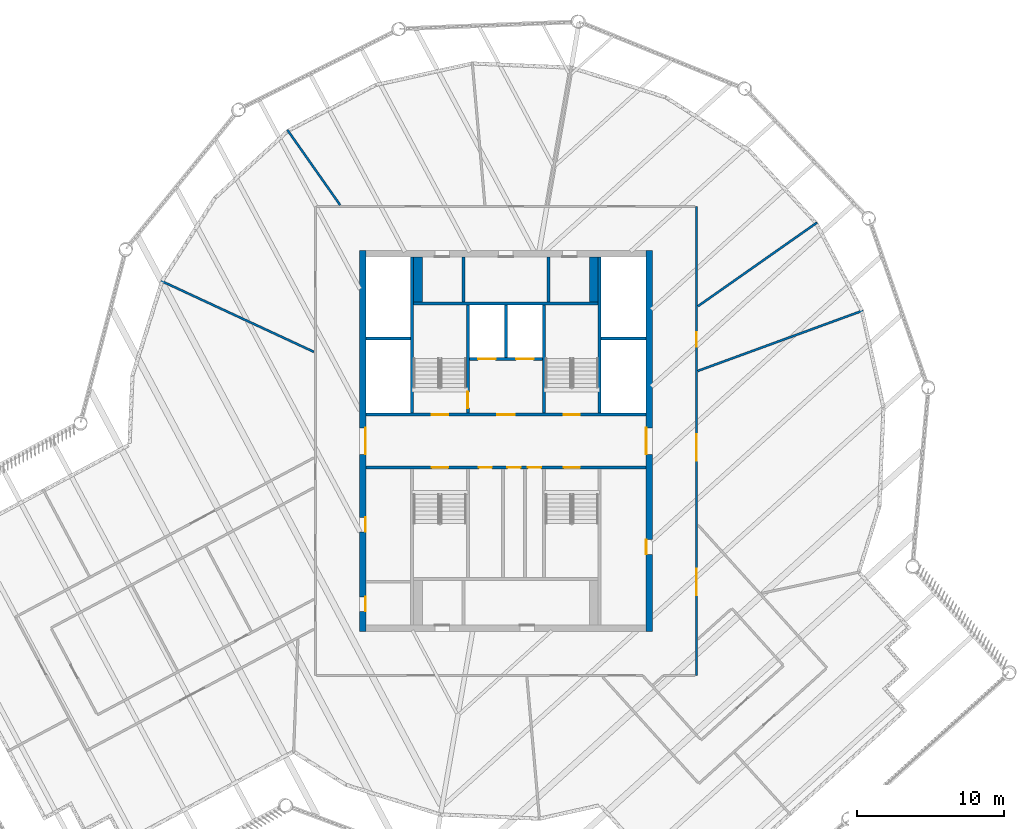
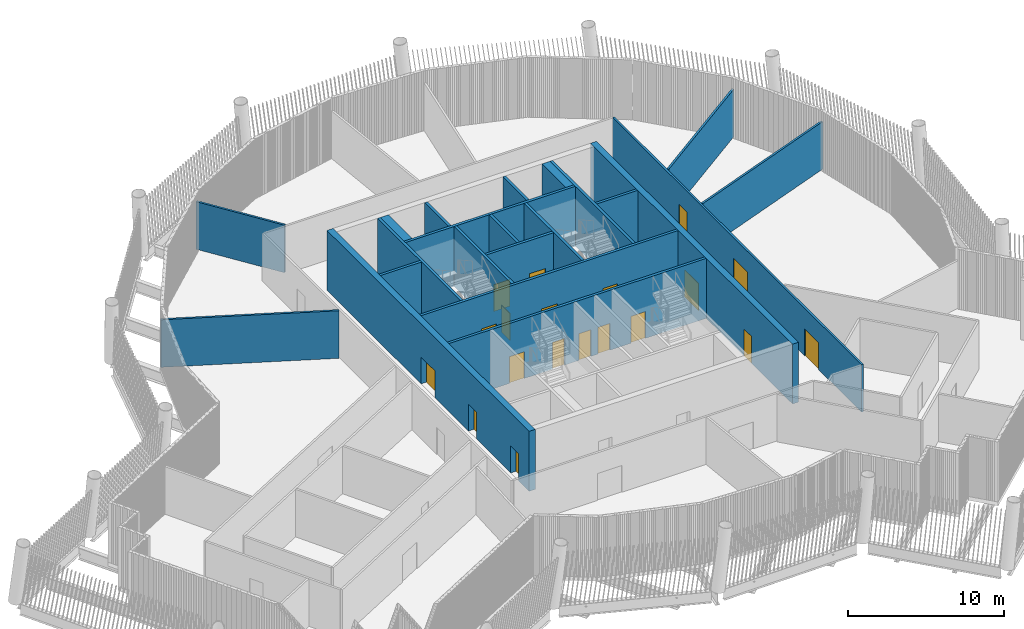
# One storey, part 4 of 21: 22 walls, 19 doors, 19 openings.
"""IFC4 building model written with IfcOpenShell, lengths in metres."""

from ifc_helpers import new_model, si_unit, direction, frame, frame_2d, origin, place, context, subcontext, project, spatial, rectangle, extrude, material, layer, layer_set, type_object, element, fill, save


model = new_model("IFC4")

# Units and contexts
model_context = context("Model", 3, precision=1e-05, world=origin(), true_north=direction((0.0, 1.0)))
body_context = subcontext(model_context, "Body", "Model", "MODEL_VIEW")
ifc_project = project(units=[si_unit("LENGTHUNIT", "METRE"), si_unit("AREAUNIT", "SQUARE_METRE"), si_unit("VOLUMEUNIT", "CUBIC_METRE"), si_unit("PLANEANGLEUNIT", "RADIAN"), si_unit("MASSUNIT", "GRAM", prefix="KILO")], contexts=[model_context])

# Site, building, storey
site_placement = place(None, origin())
site = spatial("IfcSite", under=ifc_project, at=site_placement, CompositionType="ELEMENT")
building_placement = place(site_placement, origin())
building = spatial("IfcBuilding", under=site, at=building_placement, Name="Tarsis Ring Headquarters", CompositionType="ELEMENT")
storey_placement = place(building_placement, frame((0.0, 0.0, 398.60009765625)))
storey = spatial("IfcBuildingStorey", under=building, at=storey_placement, Name="L94", CompositionType="ELEMENT", Elevation=398.60009765625)

# Walls
ifc_material_1 = material(Name="Blockwork", Category="masonry")
ifc_layer_1 = layer(ifc_material_1, 0.199951171875)
ifc_layer_set_1 = layer_set([ifc_layer_1], Name="Core blockwork wall 200")
wall_type_1 = type_object("IfcWallType", Name="Core blockwork wall 200", PredefinedType="PARTITIONING", material=ifc_layer_set_1)
for number, where, z_axis, x_axis, name in (
    (1, (-2.89990234375, 9.5, 0.0), (0.0, 0.0, 1.0), (0.0, 1.0, 0.0), "Core partition ND1"),
    (2, (2.89990234375, 9.5, 0.0), (0.0, 0.0, 1.0), (0.0, 1.0, 0.0), "Core partition ND3"),
):
    element("IfcWall", number, at=place(storey_placement, frame(where, z_axis=z_axis, x_axis=x_axis)), inside=storey, type_object=wall_type_1, Name=name, PredefinedType="PARTITIONING", context=body_context, shape_type="SweptSolid", body=[
        extrude(rectangle(XDim=3.050048828125, YDim=0.199951171875, at=frame_2d((1.52490234375, 0.0))), origin(), (0.0, 0.0, 1.0), 4.699951171875),
    ])

# Wall, openings, doors
ifc_material_2 = material(Name="Concrete C50/60", Category="concrete")
ifc_layer_2 = layer(ifc_material_2, 0.449951171875)
ifc_layer_set_2 = layer_set([ifc_layer_2], Name="Core wall 450 C50/60")
wall_type_2 = type_object("IfcWallType", Name="Core wall 450 C50/60", PredefinedType="SHEAR", material=ifc_layer_set_2)
wall_1_placement = place(storey_placement, frame((-9.77490234375, -13.0, 0.0), z_axis=(0.0, 0.0, 1.0), x_axis=(0.0, 1.0, 0.0)))
wall_1 = element("IfcWall", 3, at=wall_1_placement, inside=storey, type_object=wall_type_2, Name="Core wall OW", PredefinedType="SHEAR", context=body_context, shape_type="SweptSolid", body=[
    extrude(rectangle(XDim=26.0, YDim=0.449951171875, at=frame_2d((13.0, 0.0))), origin(), (0.0, 0.0, 1.0), 4.699951171875),
])
opening_1_placement = place(wall_1_placement, frame((1.375, 0.0, 0.0)))
opening_1 = element("IfcOpeningElement", 4, at=opening_1_placement, cuts=wall_1, Name="Opening L94-C01", PredefinedType="OPENING", context=body_context, shape_type="SweptSolid", body=[
    extrude(rectangle(XDim=1.0, YDim=2.10009765625, at=frame_2d((0.5, 1.050048828125))), frame((0.0, 0.23486328125, 0.0), z_axis=(0.0, -1.0, 0.0), x_axis=(1.0, 0.0, 0.0)), (0.0, 0.0, 1.0), 0.469970703125),
])
opening_2_placement = place(wall_1_placement, frame((6.800048828125, 0.0, 0.0)))
opening_2 = element("IfcOpeningElement", 5, at=opening_2_placement, cuts=wall_1, Name="Opening L94-C02", PredefinedType="OPENING", context=body_context, shape_type="SweptSolid", body=[
    extrude(rectangle(XDim=1.0, YDim=2.10009765625, at=frame_2d((0.5, 1.050048828125))), frame((0.0, 0.23486328125, 0.0), z_axis=(0.0, -1.0, 0.0), x_axis=(1.0, 0.0, 0.0)), (0.0, 0.0, 1.0), 0.469970703125),
])
opening_3_placement = place(wall_1_placement, frame((12.10009765625, 0.0, 0.0)))
opening_3 = element("IfcOpeningElement", 6, at=opening_3_placement, cuts=wall_1, Name="Opening L94-C03", PredefinedType="OPENING", context=body_context, shape_type="SweptSolid", body=[
    extrude(rectangle(XDim=1.800048828125, YDim=2.10009765625, at=frame_2d((0.89990234375, 1.050048828125))), frame((0.0, 0.23486328125, 0.0), z_axis=(0.0, -1.0, 0.0), x_axis=(1.0, 0.0, 0.0)), (0.0, 0.0, 1.0), 0.469970703125),
])
ifc_material_3 = material(Name="Steel S355", Category="steel")
door_type_1 = type_object("IfcDoorType", Name="Core entry door 1800x2100", OperationType="DOUBLE_DOOR_SINGLE_SWING", PredefinedType="DOOR", material=ifc_material_3)
door_1_placement = place(opening_3_placement, origin())
door_1 = element("IfcDoor", 7, at=door_1_placement, inside=storey, type_object=door_type_1, Name="Core entry door L94", OperationType="DOUBLE_DOOR_SINGLE_SWING", OverallHeight=2.10009765625, OverallWidth=1.800048828125, PredefinedType="DOOR", context=body_context, shape_type="SweptSolid", body=[
    extrude(rectangle(XDim=1.800048828125, YDim=2.10009765625, at=frame_2d((0.89990234375, 1.050048828125))), frame((0.0, -0.1748046875, 0.0), z_axis=(0.0, -1.0, 0.0), x_axis=(1.0, 0.0, 0.0)), (0.0, 0.0, 1.0), 0.050048828125),
])
fill(opening_3, door_1)
door_type_2 = type_object("IfcDoorType", Name="Core room door 1000x2100", OperationType="SINGLE_SWING_LEFT", PredefinedType="DOOR", material=ifc_material_3)
door_2_placement = place(opening_1_placement, origin())
door_2 = element("IfcDoor", 8, at=door_2_placement, inside=storey, type_object=door_type_2, Name="Core room door L94", OperationType="SINGLE_SWING_LEFT", OverallHeight=2.10009765625, OverallWidth=1.0, PredefinedType="DOOR", context=body_context, shape_type="SweptSolid", body=[
    extrude(rectangle(XDim=1.0, YDim=2.10009765625, at=frame_2d((0.5, 1.050048828125))), frame((0.0, -0.1748046875, 0.0), z_axis=(0.0, -1.0, 0.0), x_axis=(1.0, 0.0, 0.0)), (0.0, 0.0, 1.0), 0.050048828125),
])
fill(opening_1, door_2)
door_3_placement = place(opening_2_placement, origin())
door_3 = element("IfcDoor", 9, at=door_3_placement, inside=storey, type_object=door_type_2, Name="Core room door L94", OperationType="SINGLE_SWING_LEFT", OverallHeight=2.10009765625, OverallWidth=1.0, PredefinedType="DOOR", context=body_context, shape_type="SweptSolid", body=[
    extrude(rectangle(XDim=1.0, YDim=2.10009765625, at=frame_2d((0.5, 1.050048828125))), frame((0.0, -0.1748046875, 0.0), z_axis=(0.0, -1.0, 0.0), x_axis=(1.0, 0.0, 0.0)), (0.0, 0.0, 1.0), 0.050048828125),
])
fill(opening_2, door_3)

wall_2_placement = place(storey_placement, frame((9.77490234375, -13.0, 0.0), z_axis=(0.0, 0.0, 1.0), x_axis=(0.0, 1.0, 0.0)))
wall_2 = element("IfcWall", 10, at=wall_2_placement, inside=storey, type_object=wall_type_2, Name="Core wall OE", PredefinedType="SHEAR", context=body_context, shape_type="SweptSolid", body=[
    extrude(rectangle(XDim=26.0, YDim=0.449951171875, at=frame_2d((13.0, 0.0))), origin(), (0.0, 0.0, 1.0), 4.699951171875),
])
opening_4_placement = place(wall_2_placement, frame((5.27490234375, 0.0, 0.0)))
opening_4 = element("IfcOpeningElement", 11, at=opening_4_placement, cuts=wall_2, Name="Opening L94-C04", PredefinedType="OPENING", context=body_context, shape_type="SweptSolid", body=[
    extrude(rectangle(XDim=1.0, YDim=2.10009765625, at=frame_2d((0.5, 1.050048828125))), frame((0.0, 0.23486328125, 0.0), z_axis=(0.0, -1.0, 0.0), x_axis=(1.0, 0.0, 0.0)), (0.0, 0.0, 1.0), 0.469970703125),
])
opening_5_placement = place(wall_2_placement, frame((12.10009765625, 0.0, 0.0)))
opening_5 = element("IfcOpeningElement", 12, at=opening_5_placement, cuts=wall_2, Name="Opening L94-C05", PredefinedType="OPENING", context=body_context, shape_type="SweptSolid", body=[
    extrude(rectangle(XDim=1.800048828125, YDim=2.10009765625, at=frame_2d((0.89990234375, 1.050048828125))), frame((0.0, 0.23486328125, 0.0), z_axis=(0.0, -1.0, 0.0), x_axis=(1.0, 0.0, 0.0)), (0.0, 0.0, 1.0), 0.469970703125),
])
door_4_placement = place(opening_5_placement, origin())
door_4 = element("IfcDoor", 13, at=door_4_placement, inside=storey, type_object=door_type_1, Name="Core entry door L94", OperationType="DOUBLE_DOOR_SINGLE_SWING", OverallHeight=2.10009765625, OverallWidth=1.800048828125, PredefinedType="DOOR", context=body_context, shape_type="SweptSolid", body=[
    extrude(rectangle(XDim=1.800048828125, YDim=2.10009765625, at=frame_2d((0.89990234375, 1.050048828125))), frame((0.0, 0.22509765625, 0.0), z_axis=(0.0, -1.0, 0.0), x_axis=(1.0, 0.0, 0.0)), (0.0, 0.0, 1.0), 0.050048828125),
])
fill(opening_5, door_4)
door_5_placement = place(opening_4_placement, origin())
door_5 = element("IfcDoor", 14, at=door_5_placement, inside=storey, type_object=door_type_2, Name="Core room door L94", OperationType="SINGLE_SWING_LEFT", OverallHeight=2.10009765625, OverallWidth=1.0, PredefinedType="DOOR", context=body_context, shape_type="SweptSolid", body=[
    extrude(rectangle(XDim=1.0, YDim=2.10009765625, at=frame_2d((0.5, 1.050048828125))), frame((0.0, 0.22509765625, 0.0), z_axis=(0.0, -1.0, 0.0), x_axis=(1.0, 0.0, 0.0)), (0.0, 0.0, 1.0), 0.050048828125),
])
fill(opening_4, door_5)

ifc_material_4 = material(Name="Gypsum board on steel studs", Category="steel")
ifc_layer_3 = layer(ifc_material_4, 0.14990234375)
ifc_layer_set_3 = layer_set([ifc_layer_3], Name="FL partition 150 EI 120 H3730")
wall_type_3 = type_object("IfcWallType", Name="FL partition 150 EI 120 H3730", PredefinedType="PARTITIONING", material=ifc_layer_set_3)
wall_3_placement = place(storey_placement, frame((13.0, -15.9990234375, 0.0), z_axis=(0.0, 0.0, 1.0), x_axis=(0.0, 1.0, 0.0)))
wall_3 = element("IfcWall", 15, at=wall_3_placement, inside=storey, type_object=wall_type_3, Name="Partition PW2H373", PredefinedType="PARTITIONING", context=body_context, shape_type="SweptSolid", body=[
    extrude(rectangle(XDim=31.9990234375, YDim=0.14990234375, at=frame_2d((15.99951171875, 0.0))), origin(), (0.0, 0.0, 1.0), 3.72998046875),
])
opening_6_placement = place(wall_3_placement, frame((22.43994140625, 0.0, 0.0)))
opening_6 = element("IfcOpeningElement", 16, at=opening_6_placement, cuts=wall_3, Name="Opening D94.08", PredefinedType="OPENING", context=body_context, shape_type="SweptSolid", body=[
    extrude(rectangle(XDim=1.0, YDim=2.10009765625, at=frame_2d((0.5, 1.050048828125))), frame((0.0, 0.0849609375, 0.0), z_axis=(0.0, -1.0, 0.0), x_axis=(1.0, 0.0, 0.0)), (0.0, 0.0, 1.0), 0.169921875),
])
opening_7_placement = place(wall_3_placement, frame((14.6708984375, 0.0, 0.0)))
opening_7 = element("IfcOpeningElement", 17, at=opening_7_placement, cuts=wall_3, Name="Opening D94.09", PredefinedType="OPENING", context=body_context, shape_type="SweptSolid", body=[
    extrude(rectangle(XDim=1.800048828125, YDim=2.10009765625, at=frame_2d((0.89990234375, 1.050048828125))), frame((0.0, 0.0849609375, 0.0), z_axis=(0.0, -1.0, 0.0), x_axis=(1.0, 0.0, 0.0)), (0.0, 0.0, 1.0), 0.169921875),
])
opening_8_placement = place(wall_3_placement, frame((5.492431640625, 0.0, 0.0)))
opening_8 = element("IfcOpeningElement", 18, at=opening_8_placement, cuts=wall_3, Name="Opening D94.18", PredefinedType="OPENING", context=body_context, shape_type="SweptSolid", body=[
    extrude(rectangle(XDim=1.800048828125, YDim=2.10009765625, at=frame_2d((0.89990234375, 1.050048828125))), frame((0.0, 0.0849609375, 0.0), z_axis=(0.0, -1.0, 0.0), x_axis=(1.0, 0.0, 0.0)), (0.0, 0.0, 1.0), 0.169921875),
])
ifc_material_5 = material(Name="Fire-rated timber door leaf in steel frame", Category="steel")
door_type_3 = type_object("IfcDoorType", Name="FL door FD120-1000", OperationType="NOTDEFINED", PredefinedType="DOOR", material=ifc_material_5)
door_6_placement = place(opening_6_placement, origin())
door_6 = element("IfcDoor", 19, at=door_6_placement, inside=storey, type_object=door_type_3, Name="Door D94.08", OperationType="SINGLE_SWING_RIGHT", OverallHeight=2.10009765625, OverallWidth=1.0, PredefinedType="DOOR", context=body_context, shape_type="SweptSolid", body=[
    extrude(rectangle(XDim=1.0, YDim=2.10009765625, at=frame_2d((0.5, 1.050048828125))), frame((0.0, 0.02490234375, 0.0), z_axis=(0.0, -1.0, 0.0), x_axis=(1.0, 0.0, 0.0)), (0.0, 0.0, 1.0), 0.050048828125),
])
fill(opening_6, door_6)
door_type_4 = type_object("IfcDoorType", Name="FL door FD120-1800", OperationType="DOUBLE_DOOR_SINGLE_SWING", PredefinedType="DOOR", material=ifc_material_5)
door_7_placement = place(opening_7_placement, origin())
door_7 = element("IfcDoor", 20, at=door_7_placement, inside=storey, type_object=door_type_4, Name="Door D94.09", OperationType="DOUBLE_DOOR_SINGLE_SWING", OverallHeight=2.10009765625, OverallWidth=1.800048828125, PredefinedType="DOOR", context=body_context, shape_type="SweptSolid", body=[
    extrude(rectangle(XDim=1.800048828125, YDim=2.10009765625, at=frame_2d((0.89990234375, 1.050048828125))), frame((0.0, 0.02490234375, 0.0), z_axis=(0.0, -1.0, 0.0), x_axis=(1.0, 0.0, 0.0)), (0.0, 0.0, 1.0), 0.050048828125),
])
fill(opening_7, door_7)
door_8_placement = place(opening_8_placement, origin())
door_8 = element("IfcDoor", 21, at=door_8_placement, inside=storey, type_object=door_type_4, Name="Door D94.18", OperationType="DOUBLE_DOOR_SINGLE_SWING", OverallHeight=2.10009765625, OverallWidth=1.800048828125, PredefinedType="DOOR", context=body_context, shape_type="SweptSolid", body=[
    extrude(rectangle(XDim=1.800048828125, YDim=2.10009765625, at=frame_2d((0.89990234375, 1.050048828125))), frame((0.0, 0.02490234375, 0.0), z_axis=(0.0, -1.0, 0.0), x_axis=(1.0, 0.0, 0.0)), (0.0, 0.0, 1.0), 0.050048828125),
])
fill(opening_8, door_8)

# Walls
wall_4_placement = place(storey_placement, frame((13.093994140625, 4.78662109375, 0.0), z_axis=(0.0, 0.0, 1.0), x_axis=(0.939217393078, 0.343323009044, 0.0)))
element("IfcWall", 22, at=wall_4_placement, inside=storey, type_object=wall_type_3, Name="Partition PW2H373", PredefinedType="PARTITIONING", context=body_context, shape_type="SweptSolid", body=[
    extrude(rectangle(XDim=12.00634765625, YDim=0.14990234375, at=frame_2d((6.003173828125, 0.0))), origin(), (0.0, 0.0, 1.0), 3.72998046875),
])
wall_5_placement = place(storey_placement, frame((-23.531982421875, 10.93310546875, 0.0), z_axis=(0.0, 0.0, 1.0), x_axis=(0.906894864661, -0.42135697983, 0.0)))
element("IfcWall", 23, at=wall_5_placement, inside=storey, type_object=wall_type_3, Name="Partition PW2H373", PredefinedType="PARTITIONING", context=body_context, shape_type="SweptSolid", body=[
    extrude(rectangle(XDim=11.503173828125, YDim=0.14990234375, at=frame_2d((5.75146484375, 0.0))), origin(), (0.0, 0.0, 1.0), 3.72998046875),
])
wall_6_placement = place(storey_placement, frame((13.1064453125, 9.20458984375, 0.0), z_axis=(0.0, 0.0, 1.0), x_axis=(0.818357925444, 0.574708887928, 0.0)))
element("IfcWall", 24, at=wall_6_placement, inside=storey, type_object=wall_type_3, Name="Partition PW2H373", PredefinedType="PARTITIONING", context=body_context, shape_type="SweptSolid", body=[
    extrude(rectangle(XDim=9.931884765625, YDim=0.14990234375, at=frame_2d((4.9658203125, 0.0))), origin(), (0.0, 0.0, 1.0), 3.72998046875),
])
wall_7_placement = place(storey_placement, frame((-14.91259765625, 21.234375, 0.0), z_axis=(0.0, 0.0, 1.0), x_axis=(0.574722033076, -0.818348693832, 0.0)))
element("IfcWall", 25, at=wall_7_placement, inside=storey, type_object=wall_type_3, Name="Partition PW2H373", PredefinedType="PARTITIONING", context=body_context, shape_type="SweptSolid", body=[
    extrude(rectangle(XDim=6.26611328125, YDim=0.14990234375, at=frame_2d((3.133056640625, 0.0))), origin(), (0.0, 0.0, 1.0), 3.72998046875),
])
ifc_material_6 = material(Name="Concrete C32/40", Category="concrete")
ifc_layer_4 = layer(ifc_material_6, 0.60009765625)
ifc_layer_set_4 = layer_set([ifc_layer_4], Name="Shaft end wall 600 C32/40")
wall_type_4 = type_object("IfcWallType", Name="Shaft end wall 600 C32/40", PredefinedType="SOLIDWALL", material=ifc_layer_set_4)
for number, where, z_axis, x_axis, name in (
    (26, (-6.0, 9.5, 0.0), (0.0, 0.0, 1.0), (0.0, 1.0, 0.0), "Core shaft wall NNE1"),
    (27, (6.0, 9.5, 0.0), (0.0, 0.0, 1.0), (0.0, 1.0, 0.0), "Core shaft wall NNE2"),
):
    element("IfcWall", number, at=place(storey_placement, frame(where, z_axis=z_axis, x_axis=x_axis)), inside=storey, type_object=wall_type_4, Name=name, PredefinedType="SOLIDWALL", context=body_context, shape_type="SweptSolid", body=[
        extrude(rectangle(XDim=3.050048828125, YDim=0.60009765625, at=frame_2d((1.52490234375, 0.0))), origin(), (0.0, 0.0, 1.0), 4.699951171875),
    ])

# Wall, openings, doors
ifc_layer_5 = layer(ifc_material_6, 0.199951171875)
ifc_layer_set_5 = layer_set([ifc_layer_5], Name="Shaft wall 200 C32/40")
wall_type_5 = type_object("IfcWallType", Name="Shaft wall 200 C32/40", PredefinedType="SOLIDWALL", material=ifc_layer_set_5)
wall_8_placement = place(storey_placement, frame((-9.550048828125, 1.800048828125, 0.0), z_axis=(0.0, 0.0, 1.0), x_axis=(1.0, 0.0, 0.0)))
wall_8 = element("IfcWall", 28, at=wall_8_placement, inside=storey, type_object=wall_type_5, Name="Core shaft wall CN", PredefinedType="SOLIDWALL", context=body_context, shape_type="SweptSolid", body=[
    extrude(rectangle(XDim=19.10009765625, YDim=0.199951171875, at=frame_2d((9.550048828125, 0.0))), origin(), (0.0, 0.0, 1.0), 4.699951171875),
])
opening_9_placement = place(wall_8_placement, frame((4.5, 0.0, 0.0)))
opening_9 = element("IfcOpeningElement", 29, at=opening_9_placement, cuts=wall_8, Name="Opening L94-C11", PredefinedType="OPENING", context=body_context, shape_type="SweptSolid", body=[
    extrude(rectangle(XDim=1.10009765625, YDim=2.10009765625, at=frame_2d((0.550048828125, 1.050048828125))), frame((0.0, 0.10986328125, 0.0), z_axis=(0.0, -1.0, 0.0), x_axis=(1.0, 0.0, 0.0)), (0.0, 0.0, 1.0), 0.219970703125),
])
opening_10_placement = place(wall_8_placement, frame((8.949951171875, 0.0, 0.0)))
opening_10 = element("IfcOpeningElement", 30, at=opening_10_placement, cuts=wall_8, Name="Opening L94-C12", PredefinedType="OPENING", context=body_context, shape_type="SweptSolid", body=[
    extrude(rectangle(XDim=1.199951171875, YDim=2.10009765625, at=frame_2d((0.60009765625, 1.050048828125))), frame((0.0, 0.10986328125, 0.0), z_axis=(0.0, -1.0, 0.0), x_axis=(1.0, 0.0, 0.0)), (0.0, 0.0, 1.0), 0.219970703125),
])
opening_11_placement = place(wall_8_placement, frame((13.5, 0.0, 0.0)))
opening_11 = element("IfcOpeningElement", 31, at=opening_11_placement, cuts=wall_8, Name="Opening L94-C13", PredefinedType="OPENING", context=body_context, shape_type="SweptSolid", body=[
    extrude(rectangle(XDim=1.10009765625, YDim=2.10009765625, at=frame_2d((0.550048828125, 1.050048828125))), frame((0.0, 0.10986328125, 0.0), z_axis=(0.0, -1.0, 0.0), x_axis=(1.0, 0.0, 0.0)), (0.0, 0.0, 1.0), 0.219970703125),
])
door_type_5 = type_object("IfcDoorType", Name="Firefighting lobby door 1200x2100", OperationType="DOUBLE_DOOR_SINGLE_SWING", PredefinedType="DOOR", material=ifc_material_3)
door_9_placement = place(opening_10_placement, origin())
door_9 = element("IfcDoor", 32, at=door_9_placement, inside=storey, type_object=door_type_5, Name="Firefighting lobby door L94", OperationType="DOUBLE_DOOR_SINGLE_SWING", OverallHeight=2.10009765625, OverallWidth=1.199951171875, PredefinedType="DOOR", context=body_context, shape_type="SweptSolid", body=[
    extrude(rectangle(XDim=1.199951171875, YDim=2.10009765625, at=frame_2d((0.60009765625, 1.050048828125))), frame((0.0, 0.02490234375, 0.0), z_axis=(0.0, -1.0, 0.0), x_axis=(1.0, 0.0, 0.0)), (0.0, 0.0, 1.0), 0.050048828125),
])
fill(opening_10, door_9)
door_type_6 = type_object("IfcDoorType", Name="Stair door 1100x2100", OperationType="SINGLE_SWING_LEFT", PredefinedType="DOOR", material=ifc_material_3)
door_10_placement = place(opening_9_placement, origin())
door_10 = element("IfcDoor", 33, at=door_10_placement, inside=storey, type_object=door_type_6, Name="Stair door L94", OperationType="SINGLE_SWING_LEFT", OverallHeight=2.10009765625, OverallWidth=1.10009765625, PredefinedType="DOOR", context=body_context, shape_type="SweptSolid", body=[
    extrude(rectangle(XDim=1.10009765625, YDim=2.10009765625, at=frame_2d((0.550048828125, 1.050048828125))), frame((0.0, 0.02490234375, 0.0), z_axis=(0.0, -1.0, 0.0), x_axis=(1.0, 0.0, 0.0)), (0.0, 0.0, 1.0), 0.050048828125),
])
fill(opening_9, door_10)
door_11_placement = place(opening_11_placement, origin())
door_11 = element("IfcDoor", 34, at=door_11_placement, inside=storey, type_object=door_type_6, Name="Stair door L94", OperationType="SINGLE_SWING_LEFT", OverallHeight=2.10009765625, OverallWidth=1.10009765625, PredefinedType="DOOR", context=body_context, shape_type="SweptSolid", body=[
    extrude(rectangle(XDim=1.10009765625, YDim=2.10009765625, at=frame_2d((0.550048828125, 1.050048828125))), frame((0.0, 0.02490234375, 0.0), z_axis=(0.0, -1.0, 0.0), x_axis=(1.0, 0.0, 0.0)), (0.0, 0.0, 1.0), 0.050048828125),
])
fill(opening_11, door_11)

wall_9_placement = place(storey_placement, frame((-9.550048828125, -1.800048828125, 0.0), z_axis=(0.0, 0.0, 1.0), x_axis=(1.0, 0.0, 0.0)))
wall_9 = element("IfcWall", 35, at=wall_9_placement, inside=storey, type_object=wall_type_5, Name="Core shaft wall CS", PredefinedType="SOLIDWALL", context=body_context, shape_type="SweptSolid", body=[
    extrude(rectangle(XDim=19.10009765625, YDim=0.199951171875, at=frame_2d((9.550048828125, 0.0))), origin(), (0.0, 0.0, 1.0), 4.699951171875),
])
opening_12_placement = place(wall_9_placement, frame((4.5, 0.0, 0.0)))
opening_12 = element("IfcOpeningElement", 36, at=opening_12_placement, cuts=wall_9, Name="Opening L94-C14", PredefinedType="OPENING", context=body_context, shape_type="SweptSolid", body=[
    extrude(rectangle(XDim=1.10009765625, YDim=2.10009765625, at=frame_2d((0.550048828125, 1.050048828125))), frame((0.0, 0.10986328125, 0.0), z_axis=(0.0, -1.0, 0.0), x_axis=(1.0, 0.0, 0.0)), (0.0, 0.0, 1.0), 0.219970703125),
])
opening_13_placement = place(wall_9_placement, frame((7.699951171875, 0.0, 0.0)))
opening_13 = element("IfcOpeningElement", 37, at=opening_13_placement, cuts=wall_9, Name="Opening L94-C15", PredefinedType="OPENING", context=body_context, shape_type="SweptSolid", body=[
    extrude(rectangle(XDim=0.89990234375, YDim=2.10009765625, at=frame_2d((0.449951171875, 1.050048828125))), frame((0.0, 0.10986328125, 0.0), z_axis=(0.0, -1.0, 0.0), x_axis=(1.0, 0.0, 0.0)), (0.0, 0.0, 1.0), 0.219970703125),
])
opening_14_placement = place(wall_9_placement, frame((9.64990234375, 0.0, 0.0)))
opening_14 = element("IfcOpeningElement", 38, at=opening_14_placement, cuts=wall_9, Name="Opening L94-C16", PredefinedType="OPENING", context=body_context, shape_type="SweptSolid", body=[
    extrude(rectangle(XDim=0.89990234375, YDim=2.10009765625, at=frame_2d((0.449951171875, 1.050048828125))), frame((0.0, 0.10986328125, 0.0), z_axis=(0.0, -1.0, 0.0), x_axis=(1.0, 0.0, 0.0)), (0.0, 0.0, 1.0), 0.219970703125),
])
opening_15_placement = place(wall_9_placement, frame((11.050048828125, 0.0, 0.0)))
opening_15 = element("IfcOpeningElement", 39, at=opening_15_placement, cuts=wall_9, Name="Opening L94-C17", PredefinedType="OPENING", context=body_context, shape_type="SweptSolid", body=[
    extrude(rectangle(XDim=0.89990234375, YDim=2.10009765625, at=frame_2d((0.449951171875, 1.050048828125))), frame((0.0, 0.10986328125, 0.0), z_axis=(0.0, -1.0, 0.0), x_axis=(1.0, 0.0, 0.0)), (0.0, 0.0, 1.0), 0.219970703125),
])
opening_16_placement = place(wall_9_placement, frame((13.5, 0.0, 0.0)))
opening_16 = element("IfcOpeningElement", 40, at=opening_16_placement, cuts=wall_9, Name="Opening L94-C18", PredefinedType="OPENING", context=body_context, shape_type="SweptSolid", body=[
    extrude(rectangle(XDim=1.10009765625, YDim=2.10009765625, at=frame_2d((0.550048828125, 1.050048828125))), frame((0.0, 0.10986328125, 0.0), z_axis=(0.0, -1.0, 0.0), x_axis=(1.0, 0.0, 0.0)), (0.0, 0.0, 1.0), 0.219970703125),
])
door_12_placement = place(opening_12_placement, origin())
door_12 = element("IfcDoor", 41, at=door_12_placement, inside=storey, type_object=door_type_6, Name="Stair door L94", OperationType="SINGLE_SWING_LEFT", OverallHeight=2.10009765625, OverallWidth=1.10009765625, PredefinedType="DOOR", context=body_context, shape_type="SweptSolid", body=[
    extrude(rectangle(XDim=1.10009765625, YDim=2.10009765625, at=frame_2d((0.550048828125, 1.050048828125))), frame((0.0, 0.02490234375, 0.0), z_axis=(0.0, -1.0, 0.0), x_axis=(1.0, 0.0, 0.0)), (0.0, 0.0, 1.0), 0.050048828125),
])
fill(opening_12, door_12)
door_13_placement = place(opening_16_placement, origin())
door_13 = element("IfcDoor", 42, at=door_13_placement, inside=storey, type_object=door_type_6, Name="Stair door L94", OperationType="SINGLE_SWING_LEFT", OverallHeight=2.10009765625, OverallWidth=1.10009765625, PredefinedType="DOOR", context=body_context, shape_type="SweptSolid", body=[
    extrude(rectangle(XDim=1.10009765625, YDim=2.10009765625, at=frame_2d((0.550048828125, 1.050048828125))), frame((0.0, 0.02490234375, 0.0), z_axis=(0.0, -1.0, 0.0), x_axis=(1.0, 0.0, 0.0)), (0.0, 0.0, 1.0), 0.050048828125),
])
fill(opening_16, door_13)
door_type_7 = type_object("IfcDoorType", Name="WC door 900x2100", OperationType="SINGLE_SWING_LEFT", PredefinedType="DOOR", material=ifc_material_3)
door_14_placement = place(opening_13_placement, origin())
door_14 = element("IfcDoor", 43, at=door_14_placement, inside=storey, type_object=door_type_7, Name="WC door L94", OperationType="SINGLE_SWING_LEFT", OverallHeight=2.10009765625, OverallWidth=0.89990234375, PredefinedType="DOOR", context=body_context, shape_type="SweptSolid", body=[
    extrude(rectangle(XDim=0.89990234375, YDim=2.10009765625, at=frame_2d((0.449951171875, 1.050048828125))), frame((0.0, 0.02490234375, 0.0), z_axis=(0.0, -1.0, 0.0), x_axis=(1.0, 0.0, 0.0)), (0.0, 0.0, 1.0), 0.050048828125),
])
fill(opening_13, door_14)
door_15_placement = place(opening_14_placement, origin())
door_15 = element("IfcDoor", 44, at=door_15_placement, inside=storey, type_object=door_type_7, Name="WC door L94", OperationType="SINGLE_SWING_LEFT", OverallHeight=2.10009765625, OverallWidth=0.89990234375, PredefinedType="DOOR", context=body_context, shape_type="SweptSolid", body=[
    extrude(rectangle(XDim=0.89990234375, YDim=2.10009765625, at=frame_2d((0.449951171875, 1.050048828125))), frame((0.0, 0.02490234375, 0.0), z_axis=(0.0, -1.0, 0.0), x_axis=(1.0, 0.0, 0.0)), (0.0, 0.0, 1.0), 0.050048828125),
])
fill(opening_14, door_15)
door_16_placement = place(opening_15_placement, origin())
door_16 = element("IfcDoor", 45, at=door_16_placement, inside=storey, type_object=door_type_7, Name="WC door L94", OperationType="SINGLE_SWING_LEFT", OverallHeight=2.10009765625, OverallWidth=0.89990234375, PredefinedType="DOOR", context=body_context, shape_type="SweptSolid", body=[
    extrude(rectangle(XDim=0.89990234375, YDim=2.10009765625, at=frame_2d((0.449951171875, 1.050048828125))), frame((0.0, 0.02490234375, 0.0), z_axis=(0.0, -1.0, 0.0), x_axis=(1.0, 0.0, 0.0)), (0.0, 0.0, 1.0), 0.050048828125),
])
fill(opening_15, door_16)

# Walls
for number, where, z_axis, x_axis, name in (
    (46, (-6.39990234375, 1.89990234375, 0.0), (0.0, 0.0, 1.0), (0.0, 1.0, 0.0), "Core shaft wall WB2"),
    (47, (6.39990234375, 1.89990234375, 0.0), (0.0, 0.0, 1.0), (0.0, 1.0, 0.0), "Core shaft wall EB2"),
):
    element("IfcWall", number, at=place(storey_placement, frame(where, z_axis=z_axis, x_axis=x_axis)), inside=storey, type_object=wall_type_5, Name=name, PredefinedType="SOLIDWALL", context=body_context, shape_type="SweptSolid", body=[
        extrude(rectangle(XDim=10.650146484375, YDim=0.199951171875, at=frame_2d((5.3251953125, 0.0))), origin(), (0.0, 0.0, 1.0), 4.699951171875),
    ])
wall_10_placement = place(storey_placement, frame((-6.300048828125, 9.39990234375, 0.0), z_axis=(0.0, 0.0, 1.0), x_axis=(1.0, 0.0, 0.0)))
element("IfcWall", 48, at=wall_10_placement, inside=storey, type_object=wall_type_5, Name="Core shaft wall NB", PredefinedType="SOLIDWALL", context=body_context, shape_type="SweptSolid", body=[
    extrude(rectangle(XDim=12.60009765625, YDim=0.199951171875, at=frame_2d((6.300048828125, 0.0))), origin(), (0.0, 0.0, 1.0), 4.699951171875),
])

# Wall, opening, door
wall_11_placement = place(storey_placement, frame((-2.60009765625, 1.89990234375, 0.0), z_axis=(0.0, 0.0, 1.0), x_axis=(0.0, 1.0, 0.0)))
wall_11 = element("IfcWall", 49, at=wall_11_placement, inside=storey, type_object=wall_type_5, Name="Core shaft wall SW1", PredefinedType="SOLIDWALL", context=body_context, shape_type="SweptSolid", body=[
    extrude(rectangle(XDim=7.400146484375, YDim=0.199951171875, at=frame_2d((3.7001953125, 0.0))), origin(), (0.0, 0.0, 1.0), 4.699951171875),
])
opening_17_placement = place(wall_11_placement, frame((0.35009765625, 0.0, 0.0)))
opening_17 = element("IfcOpeningElement", 50, at=opening_17_placement, cuts=wall_11, Name="Opening L94-C19", PredefinedType="OPENING", context=body_context, shape_type="SweptSolid", body=[
    extrude(rectangle(XDim=1.10009765625, YDim=2.10009765625, at=frame_2d((0.550048828125, 1.050048828125))), frame((0.0, 0.10986328125, 0.0), z_axis=(0.0, -1.0, 0.0), x_axis=(1.0, 0.0, 0.0)), (0.0, 0.0, 1.0), 0.219970703125),
])
door_17_placement = place(opening_17_placement, origin())
door_17 = element("IfcDoor", 51, at=door_17_placement, inside=storey, type_object=door_type_6, Name="Stair door L94", OperationType="SINGLE_SWING_LEFT", OverallHeight=2.10009765625, OverallWidth=1.10009765625, PredefinedType="DOOR", context=body_context, shape_type="SweptSolid", body=[
    extrude(rectangle(XDim=1.10009765625, YDim=2.10009765625, at=frame_2d((0.550048828125, 1.050048828125))), frame((0.0, 0.02490234375, 0.0), z_axis=(0.0, -1.0, 0.0), x_axis=(1.0, 0.0, 0.0)), (0.0, 0.0, 1.0), 0.050048828125),
])
fill(opening_17, door_17)

# Wall
wall_12_placement = place(storey_placement, frame((2.60009765625, 1.89990234375, 0.0), z_axis=(0.0, 0.0, 1.0), x_axis=(0.0, 1.0, 0.0)))
element("IfcWall", 52, at=wall_12_placement, inside=storey, type_object=wall_type_5, Name="Core shaft wall SW2", PredefinedType="SOLIDWALL", context=body_context, shape_type="SweptSolid", body=[
    extrude(rectangle(XDim=7.400146484375, YDim=0.199951171875, at=frame_2d((3.7001953125, 0.0))), origin(), (0.0, 0.0, 1.0), 4.699951171875),
])

# Wall, openings, doors
wall_13_placement = place(storey_placement, frame((-2.5, 5.60009765625, 0.0), z_axis=(0.0, 0.0, 1.0), x_axis=(1.0, 0.0, 0.0)))
wall_13 = element("IfcWall", 53, at=wall_13_placement, inside=storey, type_object=wall_type_5, Name="Core shaft wall FFN", PredefinedType="SOLIDWALL", context=body_context, shape_type="SweptSolid", body=[
    extrude(rectangle(XDim=5.0, YDim=0.199951171875, at=frame_2d((2.5, 0.0))), origin(), (0.0, 0.0, 1.0), 4.699951171875),
])
opening_18_placement = place(wall_13_placement, frame((0.60009765625, 0.0, 0.0)))
opening_18 = element("IfcOpeningElement", 54, at=opening_18_placement, cuts=wall_13, Name="Opening LDF-1", PredefinedType="OPENING", context=body_context, shape_type="SweptSolid", body=[
    extrude(rectangle(XDim=1.199951171875, YDim=2.10009765625, at=frame_2d((0.60009765625, 1.050048828125))), frame((0.0, 0.10986328125, 0.0), z_axis=(0.0, -1.0, 0.0), x_axis=(1.0, 0.0, 0.0)), (0.0, 0.0, 1.0), 0.219970703125),
])
opening_19_placement = place(wall_13_placement, frame((3.199951171875, 0.0, 0.0)))
opening_19 = element("IfcOpeningElement", 55, at=opening_19_placement, cuts=wall_13, Name="Opening LDF-2", PredefinedType="OPENING", context=body_context, shape_type="SweptSolid", body=[
    extrude(rectangle(XDim=1.199951171875, YDim=2.10009765625, at=frame_2d((0.60009765625, 1.050048828125))), frame((0.0, 0.10986328125, 0.0), z_axis=(0.0, -1.0, 0.0), x_axis=(1.0, 0.0, 0.0)), (0.0, 0.0, 1.0), 0.219970703125),
])
door_type_8 = type_object("IfcDoorType", Name="Firefighting landing door 1200x2100", OperationType="SLIDING_TO_LEFT", PredefinedType="DOOR", material=ifc_material_3)
door_18_placement = place(opening_18_placement, origin())
door_18 = element("IfcDoor", 56, at=door_18_placement, inside=storey, type_object=door_type_8, Name="Landing door FF1 L94", OperationType="SLIDING_TO_LEFT", OverallHeight=2.10009765625, OverallWidth=1.199951171875, PredefinedType="DOOR", context=body_context, shape_type="SweptSolid", body=[
    extrude(rectangle(XDim=1.199951171875, YDim=2.10009765625, at=frame_2d((0.60009765625, 1.050048828125))), frame((0.0, 0.02490234375, 0.0), z_axis=(0.0, -1.0, 0.0), x_axis=(1.0, 0.0, 0.0)), (0.0, 0.0, 1.0), 0.050048828125),
])
fill(opening_18, door_18)
door_19_placement = place(opening_19_placement, origin())
door_19 = element("IfcDoor", 57, at=door_19_placement, inside=storey, type_object=door_type_8, Name="Landing door FF2 L94", OperationType="SLIDING_TO_LEFT", OverallHeight=2.10009765625, OverallWidth=1.199951171875, PredefinedType="DOOR", context=body_context, shape_type="SweptSolid", body=[
    extrude(rectangle(XDim=1.199951171875, YDim=2.10009765625, at=frame_2d((0.60009765625, 1.050048828125))), frame((0.0, 0.02490234375, 0.0), z_axis=(0.0, -1.0, 0.0), x_axis=(1.0, 0.0, 0.0)), (0.0, 0.0, 1.0), 0.050048828125),
])
fill(opening_19, door_19)

# Walls
wall_14_placement = place(storey_placement, frame((0.0, 5.699951171875, 0.0), z_axis=(0.0, 0.0, 1.0), x_axis=(0.0, 1.0, 0.0)))
element("IfcWall", 58, at=wall_14_placement, inside=storey, type_object=wall_type_5, Name="Core shaft wall FFD", PredefinedType="SOLIDWALL", context=body_context, shape_type="SweptSolid", body=[
    extrude(rectangle(XDim=3.60009765625, YDim=0.199951171875, at=frame_2d((1.800048828125, 0.0))), origin(), (0.0, 0.0, 1.0), 4.699951171875),
])
for number, where, z_axis, x_axis, name in (
    (59, (-9.550048828125, 7.0, 0.0), (0.0, 0.0, 1.0), (1.0, 0.0, 0.0), "Core shaft wall WD6"),
    (60, (6.5, 7.0, 0.0), (0.0, 0.0, 1.0), (1.0, 0.0, 0.0), "Core shaft wall ED6"),
):
    element("IfcWall", number, at=place(storey_placement, frame(where, z_axis=z_axis, x_axis=x_axis)), inside=storey, type_object=wall_type_5, Name=name, PredefinedType="SOLIDWALL", context=body_context, shape_type="SweptSolid", body=[
        extrude(rectangle(XDim=3.050048828125, YDim=0.199951171875, at=frame_2d((1.52490234375, 0.0))), origin(), (0.0, 0.0, 1.0), 4.699951171875),
    ])

save(model, "model.ifc")
